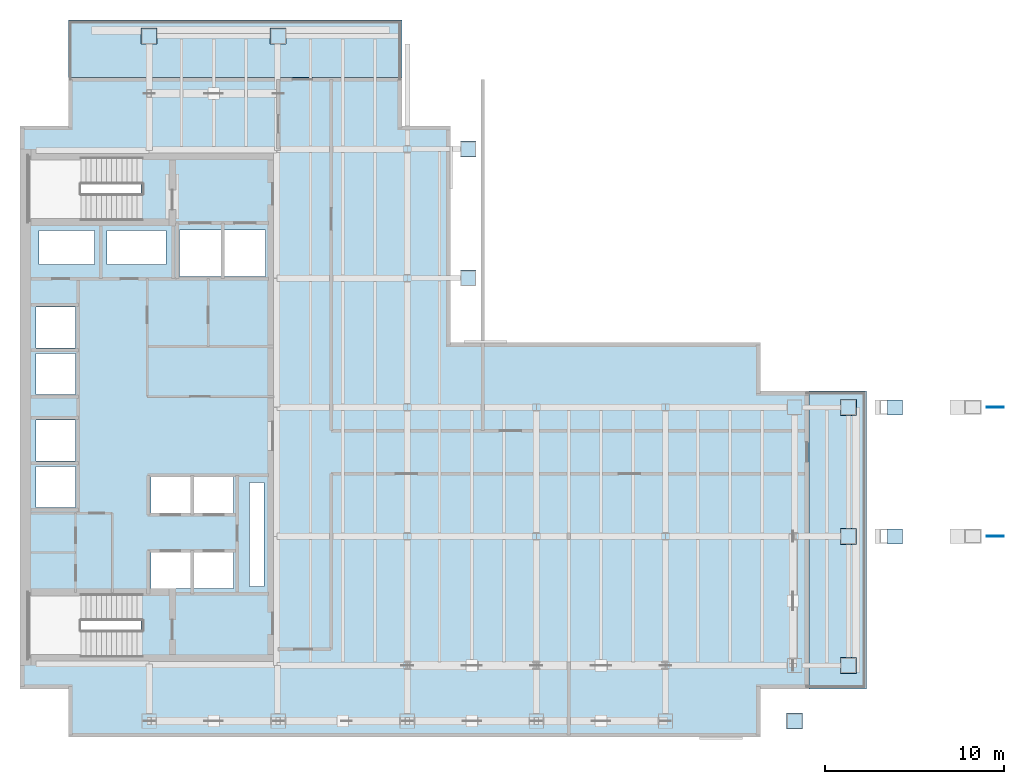
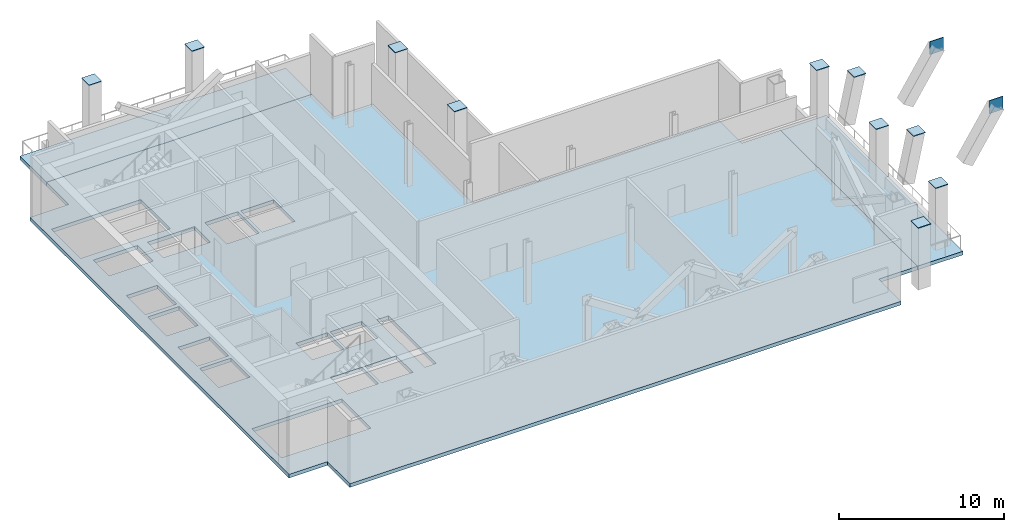
# One storey, part 3 of 8: 12 plates, 3 slabs, 15 openings.
"""IFC4 building model written with IfcOpenShell, lengths in metres."""

import ifcopenshell
import ifcopenshell.guid

model = None  # the IFC model being written
_history = None  # IfcOwnerHistory: only IFC2X3 demands one
_inside = {}  # id of a spatial element -> (the spatial element, [elements in it])
_under = {}  # id of a project, library or spatial element -> (it, [spatial elements below it])
_declared = {}  # id of a project -> (the project, [libraries it declares])
_typed = {}  # id of a type object -> (the type object, [elements of that type])
_made_of = {}  # id of a material, layer set ... -> (it, [elements and type objects made of it])


def new_model(schema):
    """Start an empty IFC model of exactly this schema.

    Asked for "IFC4X3", IfcOpenShell would pick the latest addendum, in which some entities
    have other attributes; the version numbers below select the first issue.
    IFC2X3 requires an IfcOwnerHistory on every rooted entity: one is made here for all.
    """
    global model, _history
    if schema == "IFC4X3":
        model = ifcopenshell.file(schema_version=(4, 3, 0, 0))
    else:
        model = ifcopenshell.file(schema=schema)
    _inside.clear()
    _under.clear()
    _declared.clear()
    _typed.clear()
    _made_of.clear()
    _history = None
    if model.schema == "IFC2X3":
        org = make("IfcOrganization", Name="unknown")
        user = make(
            "IfcPersonAndOrganization",
            ThePerson=make("IfcPerson", FamilyName="unknown"),
            TheOrganization=org,
        )
        app = make(
            "IfcApplication",
            ApplicationDeveloper=org,
            Version="unknown",
            ApplicationFullName="unknown",
            ApplicationIdentifier="unknown",
        )
        _history = make(
            "IfcOwnerHistory",
            OwningUser=user,
            OwningApplication=app,
            ChangeAction="ADDED",
            CreationDate=0,
        )
    return model


def make(cls, **values):
    """One entity of the class cls with the attributes given. An attribute that is None is left unset."""
    return model.create_entity(
        cls, **{name: value for name, value in values.items() if value is not None}
    )


def rooted(cls, **values):
    """An entity with a GlobalId (a new one), such as an element, a storey or a relation."""
    return make(cls, GlobalId=ifcopenshell.guid.new(), OwnerHistory=_history, **values)


def si_unit(unit_type, name, prefix=None):
    """IfcSIUnit, for example si_unit("LENGTHUNIT", "METRE", prefix="MILLI")."""
    return make("IfcSIUnit", UnitType=unit_type, Prefix=prefix, Name=name)


def assignment(units):
    """IfcUnitAssignment: the units of a project."""
    return None if units is None else make("IfcUnitAssignment", Units=units)


def point(xyz):
    """IfcCartesianPoint."""
    return None if xyz is None else make("IfcCartesianPoint", Coordinates=xyz)


def direction(xyz):
    """IfcDirection."""
    return None if xyz is None else make("IfcDirection", DirectionRatios=xyz)


def frame(location, z_axis=None, x_axis=None):
    """IfcAxis2Placement3D, a coordinate frame: its origin and axes. An axis left out is left unset."""
    return make(
        "IfcAxis2Placement3D",
        Location=point(location),
        Axis=direction(z_axis),
        RefDirection=direction(x_axis),
    )


def frame_2d(location, x_axis=None):
    """IfcAxis2Placement2D, a coordinate frame in the plane: its origin and x axis."""
    return make(
        "IfcAxis2Placement2D", Location=point(location), RefDirection=direction(x_axis)
    )


def origin():
    """The frame at (0, 0, 0) with its axes left unset."""
    return frame((0.0, 0.0, 0.0))


def origin_2d():
    """The frame at (0, 0) in the plane with its x axis left unset."""
    return frame_2d((0.0, 0.0))


def place(relative_to, where):
    """IfcLocalPlacement: puts the frame where relative to a parent placement (None: the world)."""
    return make(
        "IfcLocalPlacement", PlacementRelTo=relative_to, RelativePlacement=where
    )


def context(
    kind, dimensions, precision=None, world=None, true_north=None, identifier=None
):
    """IfcGeometricRepresentationContext, for example the 3D "Model" context."""
    return make(
        "IfcGeometricRepresentationContext",
        ContextIdentifier=identifier,
        ContextType=kind,
        CoordinateSpaceDimension=dimensions,
        Precision=precision,
        WorldCoordinateSystem=world,
        TrueNorth=true_north,
    )


def subcontext(parent, identifier, kind, view, scale=None):
    """IfcGeometricRepresentationSubContext, for example "Body" below "Model"."""
    return make(
        "IfcGeometricRepresentationSubContext",
        ContextIdentifier=identifier,
        ContextType=kind,
        ParentContext=parent,
        TargetScale=scale,
        TargetView=view,
    )


def project(units=None, contexts=None):
    """IfcProject with its units and contexts."""
    return rooted(
        "IfcProject",
        Name="project",
        RepresentationContexts=contexts,
        UnitsInContext=assignment(units),
    )


def spatial(cls, under=None, at=None, **own):
    """A site, building, storey or space (cls), placed at a placement, below another one or the project."""
    s = rooted(cls, ObjectPlacement=at, **own)
    if under is not None:
        _under.setdefault(under.id(), (under, []))[1].append(s)
    return s


def polyline(points):
    """IfcPolyline through the points."""
    return make("IfcPolyline", Points=[point(p) for p in points])


def profile(cls, at=None, kind="AREA", **sizes):
    """A parametric profile (cls). Its sizes go by their IFC names, for example OverallWidth=200.0."""
    return make(cls, ProfileType=kind, Position=at, **sizes)


def rectangle(**sizes):
    """IfcRectangleProfileDef."""
    return profile("IfcRectangleProfileDef", **sizes)


def outline(outer, holes=None, kind="AREA"):
    """IfcArbitraryClosedProfileDef: a profile drawn as a closed curve; with holes, ...WithVoids."""
    if holes is None:
        return make("IfcArbitraryClosedProfileDef", ProfileType=kind, OuterCurve=outer)
    return make(
        "IfcArbitraryProfileDefWithVoids",
        ProfileType=kind,
        OuterCurve=outer,
        InnerCurves=holes,
    )


def extrude(swept, where, along, depth):
    """IfcExtrudedAreaSolid: the profile swept, set in the frame where, extruded along a direction by depth."""
    return make(
        "IfcExtrudedAreaSolid",
        SweptArea=swept,
        Position=where,
        ExtrudedDirection=direction(along),
        Depth=depth,
    )


def shape(context_of_items, identifier, shape_type, items):
    """IfcShapeRepresentation: the items that make up one representation, for example the "Body"."""
    return make(
        "IfcShapeRepresentation",
        ContextOfItems=context_of_items,
        RepresentationIdentifier=identifier,
        RepresentationType=shape_type,
        Items=items,
    )


def material(Name=None, Category=None):
    """IfcMaterial."""
    return make("IfcMaterial", Name=Name, Category=Category)


def layer(
    of_material, thickness, ventilated=None, Name=None, Category=None, Priority=None
):
    """IfcMaterialLayer: one layer of a wall or slab, of a material (None: an air gap)."""
    return make(
        "IfcMaterialLayer",
        Material=of_material,
        LayerThickness=thickness,
        IsVentilated=ventilated,
        Name=Name,
        Category=Category,
        Priority=Priority,
    )


def layer_set(layers, Name=None):
    """IfcMaterialLayerSet."""
    return make("IfcMaterialLayerSet", MaterialLayers=layers, LayerSetName=Name)


def made_of(thing, what):
    """Note that an element or type object is made of a material, layer set ...; save() writes the relation."""
    if what is not None:
        _made_of.setdefault(what.id(), (what, []))[1].append(thing)
    return thing


def type_object(cls, material=None, **own):
    """A type object (cls), such as IfcWallType, which elements share."""
    return made_of(rooted(cls, **own), material)


def element(
    cls,
    number,
    at=None,
    inside=None,
    cuts=None,
    type_object=None,
    material=None,
    context=None,
    identifier="Body",
    shape_type=None,
    held_by="IfcProductDefinitionShape",
    body=None,
    shapes=None,
    **own,
):
    """One element of the class cls, such as IfcWall. Its Tag is "e" and its number.

    at: its placement. inside: the storey or other place that contains it. cuts: it is an
    opening in that element (IfcRelVoidsElement). A single representation is given by context,
    identifier, shape_type and body (its items); several are given by shapes. held_by: the class
    of the entity that holds the representations. save() writes the other relations.
    """
    e = rooted(cls, Tag="e%d" % number, ObjectPlacement=at, **own)
    if body is not None:
        shapes = [shape(context, identifier, shape_type, body)]
    if shapes is not None:
        e.Representation = make(held_by, Representations=shapes)
    if inside is not None:
        _inside.setdefault(inside.id(), (inside, []))[1].append(e)
    if cuts is not None:
        rooted(
            "IfcRelVoidsElement", RelatingBuildingElement=cuts, RelatedOpeningElement=e
        )
    if type_object is not None:
        _typed.setdefault(type_object.id(), (type_object, []))[1].append(e)
    return made_of(e, material)


def aggregate(whole, parts):
    """IfcRelAggregates: a whole, such as a stair, and the parts it consists of."""
    return rooted("IfcRelAggregates", RelatingObject=whole, RelatedObjects=parts)


def save(model, path):
    """Write the relations noted so far, then the file.

    IfcRelAggregates (storeys below a building ...), IfcRelContainedInSpatialStructure (elements
    in a storey), IfcRelDefinesByType, IfcRelAssociatesMaterial and IfcRelDeclares: one each for
    every whole, place, type object, material and project.
    """
    for whole, parts in _under.values():
        aggregate(whole, parts)
    for where, things in _inside.values():
        rooted(
            "IfcRelContainedInSpatialStructure",
            RelatedElements=things,
            RelatingStructure=where,
        )
    for kind, things in _typed.values():
        rooted("IfcRelDefinesByType", RelatedObjects=things, RelatingType=kind)
    for what, things in _made_of.values():
        rooted("IfcRelAssociatesMaterial", RelatedObjects=things, RelatingMaterial=what)
    for by, libraries in _declared.values():
        rooted("IfcRelDeclares", RelatingContext=by, RelatedDefinitions=libraries)
    model.write(path)


model = new_model("IFC4")

# Units and contexts
model_context = context("Model", 3, precision=1e-05, world=origin(), true_north=direction((0.0, 1.0)))
body_context = subcontext(model_context, "Body", "Model", "MODEL_VIEW")
ifc_project = project(units=[si_unit("LENGTHUNIT", "METRE"), si_unit("AREAUNIT", "SQUARE_METRE"), si_unit("VOLUMEUNIT", "CUBIC_METRE"), si_unit("PLANEANGLEUNIT", "RADIAN"), si_unit("MASSUNIT", "GRAM", prefix="KILO")], contexts=[model_context])

# Site, building, storey
site_placement = place(None, origin())
site = spatial("IfcSite", under=ifc_project, at=site_placement, CompositionType="ELEMENT")
building_placement = place(site_placement, origin())
building = spatial("IfcBuilding", under=site, at=building_placement, Name="Cobrela Telecom Tower", CompositionType="ELEMENT")
storey_placement = place(building_placement, frame((0.0, 0.0, 163.800048828125)))
storey = spatial("IfcBuildingStorey", under=building, at=storey_placement, Name="L41", CompositionType="ELEMENT", Elevation=163.800048828125)

# Plates
ifc_material_1 = material(Name="Steel ASTM A572 Grade 50", Category="steel")
ifc_layer_1 = layer(ifc_material_1, 0.044921875)
ifc_layer_set_1 = layer_set([ifc_layer_1], Name="Steel ASTM A572 Grade 50")
plate_type_1 = type_object("IfcPlateType", Name="PLT-END-CAP-45", PredefinedType="SHEET", material=ifc_layer_set_1)
for number, where, z_axis, x_axis, name in (
    (1, (7.199951171875, 42.300048828125, 4.597412109375), (0.0, 0.0, 1.0), (1.0, 0.0, 0.0), "L41 Mega-Column Top End Cap Plate 28"),
    (2, (14.39990234375, 42.300048828125, 4.597412109375), (0.0, 0.0, 1.0), (1.0, 0.0, 0.0), "L41 Mega-Column Top End Cap Plate 29"),
    (3, (25.0, 28.800048828125, 4.597412109375), (0.0, 0.0, 1.0), (1.0, 0.0, 0.0), "L41 Mega-Column Top End Cap Plate 30"),
    (4, (25.0, 36.0, 4.597412109375), (0.0, 0.0, 1.0), (1.0, 0.0, 0.0), "L41 Mega-Column Top End Cap Plate 31"),
    (5, (43.199951171875, 4.10009765625, 4.597412109375), (0.0, 0.0, 1.0), (1.0, 0.0, 0.0), "L41 Mega-Column Top End Cap Plate 32"),
    (6, (46.199951171875, 7.199951171875, 4.597412109375), (0.0, 0.0, 1.0), (1.0, 0.0, 0.0), "L41 Mega-Column Top End Cap Plate 33"),
    (7, (46.199951171875, 14.39990234375, 4.597412109375), (0.0, 0.0, 1.0), (1.0, 0.0, 0.0), "L41 Mega-Column Top End Cap Plate 34"),
    (8, (46.199951171875, 21.60009765625, 4.597412109375), (0.0, 0.0, 1.0), (1.0, 0.0, 0.0), "L41 Mega-Column Top End Cap Plate 35"),
):
    element("IfcPlate", number, at=place(storey_placement, frame(where, z_axis=z_axis, x_axis=x_axis)), inside=storey, type_object=plate_type_1, Name=name, PredefinedType="SHEET", context=body_context, shape_type="SweptSolid", body=[
        extrude(rectangle(XDim=0.889892578125, YDim=0.889892578125, at=origin_2d()), origin(), (0.0, 0.0, 1.0), 0.044921875),
    ])
ifc_layer_2 = layer(ifc_material_1, 0.0400390625)
ifc_layer_set_2 = layer_set([ifc_layer_2], Name="Steel ASTM A572 Grade 50")
plate_type_2 = type_object("IfcPlateType", Name="PLT-NODE-ND10", PredefinedType="USERDEFINED", material=ifc_layer_set_2)
plate_1_placement = place(storey_placement, frame((48.800048828125, 14.39990234375, 3.152587890625), z_axis=(0.0, 0.0, 1.0), x_axis=(1.0, 0.0, 0.0)))
element("IfcPlate", 9, at=plate_1_placement, inside=storey, type_object=plate_type_2, Name="Steel node plate PLT-SP-TIP-1A", ObjectType="GUSSET PLATE", PredefinedType="USERDEFINED", context=body_context, shape_type="SweptSolid", body=[
    extrude(rectangle(XDim=0.840087890625, YDim=0.840087890625, at=origin_2d()), origin(), (0.0, 0.0, 1.0), 0.044921875),
])
plate_2_placement = place(storey_placement, frame((54.39990234375, 14.39990234375, 2.675048828125), z_axis=(0.0, 0.0, 1.0), x_axis=(1.0, 0.0, 0.0)))
element("IfcPlate", 10, at=plate_2_placement, inside=storey, type_object=plate_type_2, Name="Steel node plate PLT-SP-TIP-1B", ObjectType="GUSSET PLATE", PredefinedType="USERDEFINED", context=body_context, shape_type="SweptSolid", body=[
    extrude(rectangle(XDim=0.9599609375, YDim=0.044921875, at=origin_2d()), origin(), (0.0, 0.0, 1.0), 0.9599609375),
])
plate_3_placement = place(storey_placement, frame((48.800048828125, 21.60009765625, 3.152587890625), z_axis=(0.0, 0.0, 1.0), x_axis=(1.0, 0.0, 0.0)))
element("IfcPlate", 11, at=plate_3_placement, inside=storey, type_object=plate_type_2, Name="Steel node plate PLT-SP-TIP-2A", ObjectType="GUSSET PLATE", PredefinedType="USERDEFINED", context=body_context, shape_type="SweptSolid", body=[
    extrude(rectangle(XDim=0.840087890625, YDim=0.840087890625, at=origin_2d()), origin(), (0.0, 0.0, 1.0), 0.044921875),
])
plate_4_placement = place(storey_placement, frame((54.39990234375, 21.60009765625, 2.675048828125), z_axis=(0.0, 0.0, 1.0), x_axis=(1.0, 0.0, 0.0)))
element("IfcPlate", 12, at=plate_4_placement, inside=storey, type_object=plate_type_2, Name="Steel node plate PLT-SP-TIP-2B", ObjectType="GUSSET PLATE", PredefinedType="USERDEFINED", context=body_context, shape_type="SweptSolid", body=[
    extrude(rectangle(XDim=0.9599609375, YDim=0.044921875, at=origin_2d()), origin(), (0.0, 0.0, 1.0), 0.9599609375),
])

# Slab, openings
ifc_material_2 = material(Name="Concrete C40/50", Category="concrete")
ifc_layer_3 = layer(ifc_material_2, 0.27001953125)
ifc_layer_set_3 = layer_set([ifc_layer_3], Name="Concrete C40/50")
slab_type_1 = type_object("IfcSlabType", Name="SLAB-FLR-270", PredefinedType="FLOOR", material=ifc_layer_set_3)
slab_1_placement = place(storey_placement, frame((0.0, 0.0, -0.27001953125)))
slab_1 = element("IfcSlab", 13, at=slab_1_placement, inside=storey, type_object=slab_type_1, Name="L41 Structural Floor Slab", PredefinedType="FLOOR", context=body_context, shape_type="SweptSolid", body=[
    extrude(outline(polyline([(2.699951171875, 3.199951171875), (41.300048828125, 3.199951171875), (41.300048828125, 5.89990234375), (44.0, 5.89990234375), (44.0, 22.5), (41.300048828125, 22.5), (41.300048828125, 25.199951171875), (24.0, 25.199951171875), (24.0, 37.300048828125), (21.300048828125, 37.300048828125), (21.300048828125, 40.0), (2.699951171875, 40.0), (2.699951171875, 37.300048828125), (0.0, 37.300048828125), (0.0, 5.89990234375), (2.699951171875, 5.89990234375), (2.699951171875, 3.199951171875)])), origin(), (0.0, 0.0, 1.0), 0.27001953125),
])
opening_1_placement = place(slab_1_placement, frame((0.0, 0.0, -0.02001953125)))
element("IfcOpeningElement", 14, at=opening_1_placement, cuts=slab_1, Name="Slab Shaft Opening SLAB-L41-MAIN.1", PredefinedType="OPENING", context=body_context, shape_type="SweptSolid", body=[
    extrude(outline(polyline([(8.89990234375, 28.89990234375), (11.199951171875, 28.89990234375), (11.199951171875, 31.5), (8.89990234375, 31.5), (8.89990234375, 28.89990234375)])), origin(), (0.0, 0.0, 1.0), 0.31005859375),
])
opening_2_placement = place(slab_1_placement, frame((0.0, 0.0, -0.02001953125)))
element("IfcOpeningElement", 15, at=opening_2_placement, cuts=slab_1, Name="Slab Shaft Opening SLAB-L41-MAIN.2", PredefinedType="OPENING", context=body_context, shape_type="SweptSolid", body=[
    extrude(outline(polyline([(11.39990234375, 28.89990234375), (13.699951171875, 28.89990234375), (13.699951171875, 31.5), (11.39990234375, 31.5), (11.39990234375, 28.89990234375)])), origin(), (0.0, 0.0, 1.0), 0.31005859375),
])
opening_3_placement = place(slab_1_placement, frame((0.0, 0.0, -0.02001953125)))
element("IfcOpeningElement", 16, at=opening_3_placement, cuts=slab_1, Name="Slab Shaft Opening SLAB-L41-MAIN.3", PredefinedType="OPENING", context=body_context, shape_type="SweptSolid", body=[
    extrude(outline(polyline([(7.300048828125, 15.699951171875), (9.5, 15.699951171875), (9.5, 17.699951171875), (7.300048828125, 17.699951171875), (7.300048828125, 15.699951171875)])), origin(), (0.0, 0.0, 1.0), 0.31005859375),
])
opening_4_placement = place(slab_1_placement, frame((0.0, 0.0, -0.02001953125)))
element("IfcOpeningElement", 17, at=opening_4_placement, cuts=slab_1, Name="Slab Shaft Opening SLAB-L41-MAIN.4", PredefinedType="OPENING", context=body_context, shape_type="SweptSolid", body=[
    extrude(outline(polyline([(9.699951171875, 15.699951171875), (11.89990234375, 15.699951171875), (11.89990234375, 17.699951171875), (9.699951171875, 17.699951171875), (9.699951171875, 15.699951171875)])), origin(), (0.0, 0.0, 1.0), 0.31005859375),
])
opening_5_placement = place(slab_1_placement, frame((0.0, 0.0, -0.02001953125)))
element("IfcOpeningElement", 18, at=opening_5_placement, cuts=slab_1, Name="Slab Shaft Opening SLAB-L41-MAIN.5", PredefinedType="OPENING", context=body_context, shape_type="SweptSolid", body=[
    extrude(outline(polyline([(7.300048828125, 11.5), (9.5, 11.5), (9.5, 13.5), (7.300048828125, 13.5), (7.300048828125, 11.5)])), origin(), (0.0, 0.0, 1.0), 0.31005859375),
])
opening_6_placement = place(slab_1_placement, frame((0.0, 0.0, -0.02001953125)))
element("IfcOpeningElement", 19, at=opening_6_placement, cuts=slab_1, Name="Slab Shaft Opening SLAB-L41-MAIN.6", PredefinedType="OPENING", context=body_context, shape_type="SweptSolid", body=[
    extrude(outline(polyline([(9.699951171875, 11.5), (11.89990234375, 11.5), (11.89990234375, 13.5), (9.699951171875, 13.5), (9.699951171875, 11.5)])), origin(), (0.0, 0.0, 1.0), 0.31005859375),
])
opening_7_placement = place(slab_1_placement, frame((0.0, 0.0, -0.02001953125)))
element("IfcOpeningElement", 20, at=opening_7_placement, cuts=slab_1, Name="Slab Shaft Opening SLAB-L41-MAIN.7", PredefinedType="OPENING", context=body_context, shape_type="SweptSolid", body=[
    extrude(outline(polyline([(0.89990234375, 16.0), (3.10009765625, 16.0), (3.10009765625, 18.300048828125), (0.89990234375, 18.300048828125), (0.89990234375, 16.0)])), origin(), (0.0, 0.0, 1.0), 0.31005859375),
])
opening_8_placement = place(slab_1_placement, frame((0.0, 0.0, -0.02001953125)))
element("IfcOpeningElement", 21, at=opening_8_placement, cuts=slab_1, Name="Slab Shaft Opening SLAB-L41-MAIN.8", PredefinedType="OPENING", context=body_context, shape_type="SweptSolid", body=[
    extrude(outline(polyline([(0.89990234375, 18.60009765625), (3.10009765625, 18.60009765625), (3.10009765625, 20.89990234375), (0.89990234375, 20.89990234375), (0.89990234375, 18.60009765625)])), origin(), (0.0, 0.0, 1.0), 0.31005859375),
])
opening_9_placement = place(slab_1_placement, frame((0.0, 0.0, -0.02001953125)))
element("IfcOpeningElement", 22, at=opening_9_placement, cuts=slab_1, Name="Slab Shaft Opening SLAB-L41-MAIN.9", PredefinedType="OPENING", context=body_context, shape_type="SweptSolid", body=[
    extrude(outline(polyline([(0.89990234375, 22.300048828125), (3.10009765625, 22.300048828125), (3.10009765625, 24.60009765625), (0.89990234375, 24.60009765625), (0.89990234375, 22.300048828125)])), origin(), (0.0, 0.0, 1.0), 0.31005859375),
])
opening_10_placement = place(slab_1_placement, frame((0.0, 0.0, -0.02001953125)))
element("IfcOpeningElement", 23, at=opening_10_placement, cuts=slab_1, Name="Slab Shaft Opening SLAB-L41-MAIN.10", PredefinedType="OPENING", context=body_context, shape_type="SweptSolid", body=[
    extrude(outline(polyline([(0.89990234375, 24.89990234375), (3.10009765625, 24.89990234375), (3.10009765625, 27.199951171875), (0.89990234375, 27.199951171875), (0.89990234375, 24.89990234375)])), origin(), (0.0, 0.0, 1.0), 0.31005859375),
])
opening_11_placement = place(slab_1_placement, frame((0.0, 0.0, -0.02001953125)))
element("IfcOpeningElement", 24, at=opening_11_placement, cuts=slab_1, Name="Slab Shaft Opening SLAB-L41-MAIN.11", PredefinedType="OPENING", context=body_context, shape_type="SweptSolid", body=[
    extrude(outline(polyline([(1.050048828125, 29.550048828125), (4.14990234375, 29.550048828125), (4.14990234375, 31.449951171875), (1.050048828125, 31.449951171875), (1.050048828125, 29.550048828125)])), origin(), (0.0, 0.0, 1.0), 0.31005859375),
])
opening_12_placement = place(slab_1_placement, frame((0.0, 0.0, -0.02001953125)))
element("IfcOpeningElement", 25, at=opening_12_placement, cuts=slab_1, Name="Slab Shaft Opening SLAB-L41-MAIN.12", PredefinedType="OPENING", context=body_context, shape_type="SweptSolid", body=[
    extrude(outline(polyline([(4.85009765625, 29.550048828125), (8.14990234375, 29.550048828125), (8.14990234375, 31.449951171875), (4.85009765625, 31.449951171875), (4.85009765625, 29.550048828125)])), origin(), (0.0, 0.0, 1.0), 0.31005859375),
])
opening_13_placement = place(slab_1_placement, frame((0.0, 0.0, -0.02001953125)))
element("IfcOpeningElement", 26, at=opening_13_placement, cuts=slab_1, Name="Slab Shaft Opening SLAB-L41-MAIN.13", PredefinedType="OPENING", context=body_context, shape_type="SweptSolid", body=[
    extrude(outline(polyline([(12.800048828125, 11.60009765625), (13.60009765625, 11.60009765625), (13.60009765625, 17.39990234375), (12.800048828125, 17.39990234375), (12.800048828125, 11.60009765625)])), origin(), (0.0, 0.0, 1.0), 0.31005859375),
])
opening_14_placement = place(slab_1_placement, frame((0.0, 0.0, -0.02001953125)))
element("IfcOpeningElement", 27, at=opening_14_placement, cuts=slab_1, Name="Slab Shaft Opening SLAB-L41-MAIN.14", PredefinedType="OPENING", context=body_context, shape_type="SweptSolid", body=[
    extrude(outline(polyline([(6.7548828125, 35.550048828125), (0.47998046875, 35.550048828125), (0.47998046875, 32.0), (6.7548828125, 32.0), (6.7548828125, 35.550048828125)])), origin(), (0.0, 0.0, 1.0), 0.31005859375),
])
opening_15_placement = place(slab_1_placement, frame((0.0, 0.0, -0.02001953125)))
element("IfcOpeningElement", 28, at=opening_15_placement, cuts=slab_1, Name="Slab Shaft Opening SLAB-L41-MAIN.15", PredefinedType="OPENING", context=body_context, shape_type="SweptSolid", body=[
    extrude(outline(polyline([(6.7548828125, 11.199951171875), (0.47998046875, 11.199951171875), (0.47998046875, 7.64990234375), (6.7548828125, 7.64990234375), (6.7548828125, 11.199951171875)])), origin(), (0.0, 0.0, 1.0), 0.31005859375),
])

# Slabs
ifc_layer_4 = layer(ifc_material_2, 0.280029296875)
ifc_layer_set_4 = layer_set([ifc_layer_4], Name="Concrete C40/50")
slab_type_2 = type_object("IfcSlabType", Name="SLAB-TERR-280", PredefinedType="FLOOR", material=ifc_layer_set_4)
slab_2_placement = place(storey_placement, frame((0.0, 0.0, -0.27001953125)))
element("IfcSlab", 29, at=slab_2_placement, inside=storey, type_object=slab_type_2, Name="L41 Mid-Rise Double-Height East Sky Garden Loggia", PredefinedType="FLOOR", context=body_context, shape_type="SweptSolid", body=[
    extrude(outline(polyline([(44.0, 5.89990234375), (47.199951171875, 5.89990234375), (47.199951171875, 22.5), (44.0, 22.5), (44.0, 5.89990234375)])), origin(), (0.0, 0.0, 1.0), 0.27001953125),
])
slab_3_placement = place(storey_placement, frame((0.0, 0.0, -0.27001953125)))
element("IfcSlab", 30, at=slab_3_placement, inside=storey, type_object=slab_type_2, Name="L41 Mid-Rise Double-Height North Sky Garden Loggia", PredefinedType="FLOOR", context=body_context, shape_type="SweptSolid", body=[
    extrude(outline(polyline([(2.699951171875, 40.0), (21.300048828125, 40.0), (21.300048828125, 43.199951171875), (2.699951171875, 43.199951171875), (2.699951171875, 40.0)])), origin(), (0.0, 0.0, 1.0), 0.27001953125),
])

save(model, "model.ifc")
